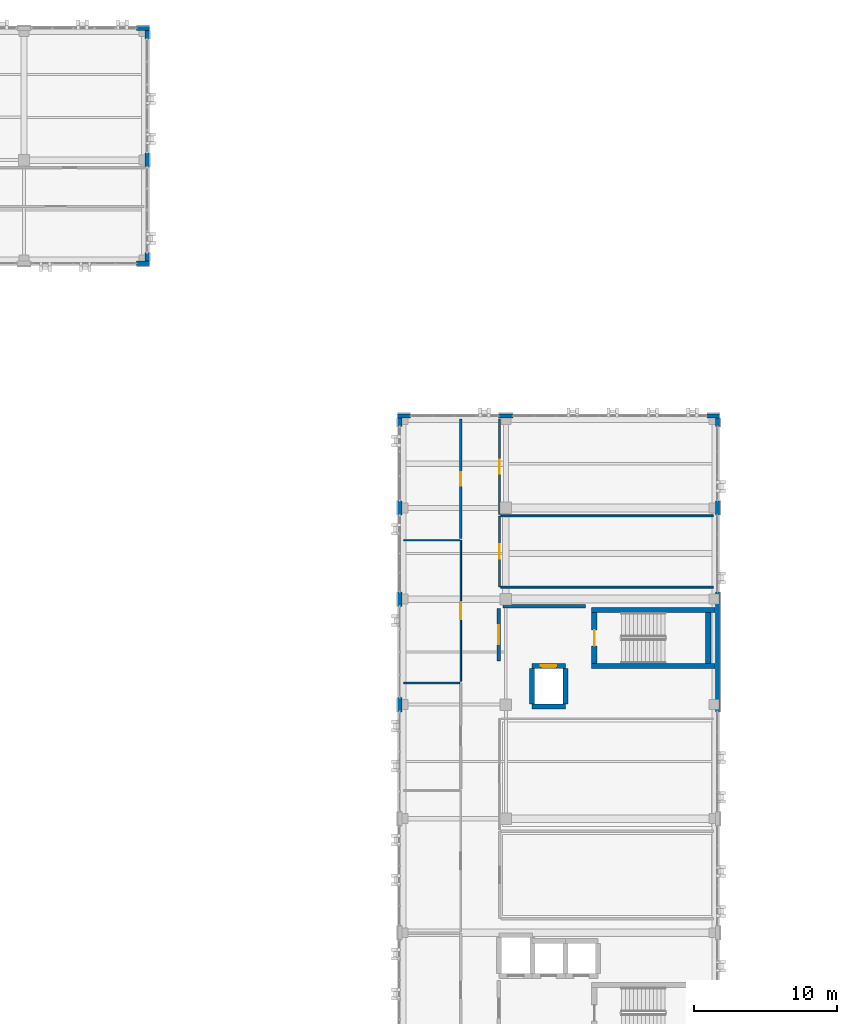
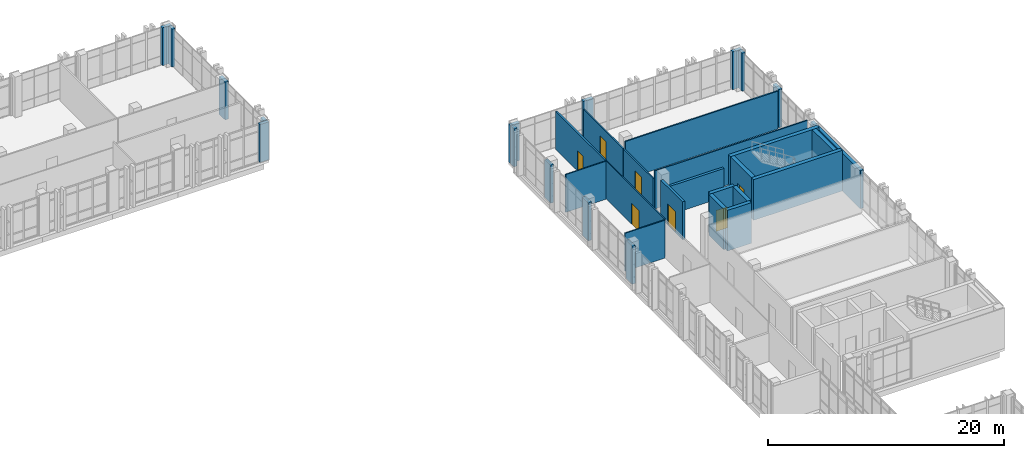
# One storey, part 161 of 193: 33 walls, 7 doors, 7 openings.
"""IFC4 building model written with IfcOpenShell, lengths in metres."""

from ifc_helpers import new_model, si_unit, direction, frame, frame_2d, origin, place, context, subcontext, project, spatial, rectangle, extrude, material, layer, layer_set, type_object, element, fill, save


model = new_model("IFC4")

# Units and contexts
model_context = context("Model", 3, precision=1e-05, world=origin(), true_north=direction((0.0, 1.0)))
body_context = subcontext(model_context, "Body", "Model", "MODEL_VIEW")
ifc_project = project(units=[si_unit("LENGTHUNIT", "METRE"), si_unit("AREAUNIT", "SQUARE_METRE"), si_unit("VOLUMEUNIT", "CUBIC_METRE"), si_unit("PLANEANGLEUNIT", "RADIAN"), si_unit("MASSUNIT", "GRAM", prefix="KILO")], contexts=[model_context])

# Site, building, storey
site_placement = place(None, origin())
site = spatial("IfcSite", under=ifc_project, at=site_placement, CompositionType="ELEMENT")
building_placement = place(site_placement, origin())
building = spatial("IfcBuilding", under=site, at=building_placement, Name="Qalavern Law Courts", CompositionType="ELEMENT")
storey_placement = place(building_placement, frame((0.0, 0.0, 10.199951171875)))
storey = spatial("IfcBuildingStorey", under=building, at=storey_placement, Name="L02", CompositionType="ELEMENT", Elevation=10.199951171875)

# Walls
ifc_material_1 = material(Name="Concrete C40/50", Category="concrete")
ifc_layer_1 = layer(ifc_material_1, 0.31005859375)
ifc_layer_set_1 = layer_set([ifc_layer_1], Name="Concrete C40/50")
wall_type_1 = type_object("IfcWallType", Name="ENV-EW-310", PredefinedType="SOLIDWALL", material=ifc_layer_set_1)
wall_1_placement = place(storey_placement, frame((106.64501953125, 64.89990234375, 0.0), z_axis=(0.0, 0.0, 1.0), x_axis=(0.0, 1.0, 0.0)))
element("IfcWall", 1, at=wall_1_placement, inside=storey, type_object=wall_type_1, Name="V4 exterior pier wall L02 east 4", PredefinedType="SOLIDWALL", context=body_context, shape_type="SweptSolid", body=[
    extrude(rectangle(XDim=8.400146484375, YDim=0.31005859375, at=frame_2d((4.2001953125, 0.0))), origin(), (0.0, 0.0, 1.0), 3.9150390625),
])
wall_2_placement = place(storey_placement, frame((106.64501953125, 78.699951171875, 0.0), z_axis=(0.0, 0.0, 1.0), x_axis=(0.0, 1.0, 0.0)))
element("IfcWall", 2, at=wall_2_placement, inside=storey, type_object=wall_type_1, Name="V4 exterior pier wall L02 east 5", PredefinedType="SOLIDWALL", context=body_context, shape_type="SweptSolid", body=[
    extrude(rectangle(XDim=1.0, YDim=0.31005859375, at=frame_2d((0.5, 0.0))), origin(), (0.0, 0.0, 1.0), 3.9150390625),
])
wall_3_placement = place(storey_placement, frame((106.64501953125, 84.89990234375, 0.0), z_axis=(0.0, 0.0, 1.0), x_axis=(0.0, 1.0, 0.0)))
element("IfcWall", 3, at=wall_3_placement, inside=storey, type_object=wall_type_1, Name="V4 exterior pier wall L02 east 6", PredefinedType="SOLIDWALL", context=body_context, shape_type="SweptSolid", body=[
    extrude(rectangle(XDim=0.59521484375, YDim=0.31005859375, at=frame_2d((0.297607421875, 0.0))), origin(), (0.0, 0.0, 1.0), 3.9150390625),
])
wall_4_placement = place(storey_placement, frame((106.800048828125, 85.64501953125, 0.0), z_axis=(0.0, 0.0, 1.0), x_axis=(-1.0, 0.0, 0.0)))
element("IfcWall", 4, at=wall_4_placement, inside=storey, type_object=wall_type_1, Name="V4 exterior pier wall L02 north 1", PredefinedType="SOLIDWALL", context=body_context, shape_type="SweptSolid", body=[
    extrude(rectangle(XDim=0.900146484375, YDim=0.31005859375, at=frame_2d((0.4501953125, 0.0))), origin(), (0.0, 0.0, 1.0), 3.9150390625),
])
wall_5_placement = place(storey_placement, frame((92.300048828125, 85.64501953125, 0.0), z_axis=(0.0, 0.0, 1.0), x_axis=(-1.0, 0.0, 0.0)))
element("IfcWall", 5, at=wall_5_placement, inside=storey, type_object=wall_type_1, Name="V4 exterior pier wall L02 north 2", PredefinedType="SOLIDWALL", context=body_context, shape_type="SweptSolid", body=[
    extrude(rectangle(XDim=1.0, YDim=0.31005859375, at=frame_2d((0.5, 0.0))), origin(), (0.0, 0.0, 1.0), 3.9150390625),
])
wall_6_placement = place(storey_placement, frame((85.10009765625, 85.64501953125, 0.0), z_axis=(0.0, 0.0, 1.0), x_axis=(-1.0, 0.0, 0.0)))
element("IfcWall", 6, at=wall_6_placement, inside=storey, type_object=wall_type_1, Name="V4 exterior pier wall L02 north 3", PredefinedType="SOLIDWALL", context=body_context, shape_type="SweptSolid", body=[
    extrude(rectangle(XDim=0.900146484375, YDim=0.31005859375, at=frame_2d((0.4501953125, 0.0))), origin(), (0.0, 0.0, 1.0), 3.9150390625),
])
wall_7_placement = place(storey_placement, frame((84.35498046875, 85.4951171875, 0.0), z_axis=(0.0, 0.0, 1.0), x_axis=(0.0, -1.0, 0.0)))
element("IfcWall", 7, at=wall_7_placement, inside=storey, type_object=wall_type_1, Name="V4 exterior pier wall L02 west 1", PredefinedType="SOLIDWALL", context=body_context, shape_type="SweptSolid", body=[
    extrude(rectangle(XDim=0.59521484375, YDim=0.31005859375, at=frame_2d((0.297607421875, 0.0))), origin(), (0.0, 0.0, 1.0), 3.9150390625),
])
for number, where, z_axis, x_axis, name in (
    (8, (84.35498046875, 79.699951171875, 0.0), (0.0, 0.0, 1.0), (0.0, -1.0, 0.0), "V4 exterior pier wall L02 west 2"),
    (9, (84.35498046875, 73.300048828125, 0.0), (0.0, 0.0, 1.0), (0.0, -1.0, 0.0), "V4 exterior pier wall L02 west 3"),
    (10, (84.35498046875, 65.89990234375, 0.0), (0.0, 0.0, 1.0), (0.0, -1.0, 0.0), "V4 exterior pier wall L02 west 4"),
):
    element("IfcWall", number, at=place(storey_placement, frame(where, z_axis=z_axis, x_axis=x_axis)), inside=storey, type_object=wall_type_1, Name=name, PredefinedType="SOLIDWALL", context=body_context, shape_type="SweptSolid", body=[
        extrude(rectangle(XDim=1.0, YDim=0.31005859375, at=frame_2d((0.5, 0.0))), origin(), (0.0, 0.0, 1.0), 3.9150390625),
    ])
wall_8_placement = place(storey_placement, frame((65.89990234375, 96.35498046875, 0.0), z_axis=(0.0, 0.0, 1.0), x_axis=(1.0, 0.0, 0.0)))
element("IfcWall", 11, at=wall_8_placement, inside=storey, type_object=wall_type_1, Name="V5 exterior pier wall L02 south 7", PredefinedType="SOLIDWALL", context=body_context, shape_type="SweptSolid", body=[
    extrude(rectangle(XDim=0.900146484375, YDim=0.31005859375, at=frame_2d((0.4501953125, 0.0))), origin(), (0.0, 0.0, 1.0), 3.9150390625),
])
wall_9_placement = place(storey_placement, frame((66.64501953125, 96.5048828125, 0.0), z_axis=(0.0, 0.0, 1.0), x_axis=(0.0, 1.0, 0.0)))
element("IfcWall", 12, at=wall_9_placement, inside=storey, type_object=wall_type_1, Name="V5 exterior pier wall L02 east 1", PredefinedType="SOLIDWALL", context=body_context, shape_type="SweptSolid", body=[
    extrude(rectangle(XDim=0.59521484375, YDim=0.31005859375, at=frame_2d((0.297607421875, 0.0))), origin(), (0.0, 0.0, 1.0), 3.9150390625),
])
wall_10_placement = place(storey_placement, frame((66.64501953125, 103.10009765625, 0.0), z_axis=(0.0, 0.0, 1.0), x_axis=(0.0, 1.0, 0.0)))
element("IfcWall", 13, at=wall_10_placement, inside=storey, type_object=wall_type_1, Name="V5 exterior pier wall L02 east 2", PredefinedType="SOLIDWALL", context=body_context, shape_type="SweptSolid", body=[
    extrude(rectangle(XDim=1.0, YDim=0.31005859375, at=frame_2d((0.5, 0.0))), origin(), (0.0, 0.0, 1.0), 3.9150390625),
])
wall_11_placement = place(storey_placement, frame((66.64501953125, 112.10009765625, 0.0), z_axis=(0.0, 0.0, 1.0), x_axis=(0.0, 1.0, 0.0)))
element("IfcWall", 14, at=wall_11_placement, inside=storey, type_object=wall_type_1, Name="V5 exterior pier wall L02 east 3", PredefinedType="SOLIDWALL", context=body_context, shape_type="SweptSolid", body=[
    extrude(rectangle(XDim=0.594970703125, YDim=0.31005859375, at=frame_2d((0.29736328125, 0.0))), origin(), (0.0, 0.0, 1.0), 3.9150390625),
])
wall_12_placement = place(storey_placement, frame((66.800048828125, 112.844970703125, 0.0), z_axis=(0.0, 0.0, 1.0), x_axis=(-1.0, 0.0, 0.0)))
element("IfcWall", 15, at=wall_12_placement, inside=storey, type_object=wall_type_1, Name="V5 exterior pier wall L02 north 1", PredefinedType="SOLIDWALL", context=body_context, shape_type="SweptSolid", body=[
    extrude(rectangle(XDim=0.900146484375, YDim=0.31005859375, at=frame_2d((0.4501953125, 0.0))), origin(), (0.0, 0.0, 1.0), 3.9150390625),
])
ifc_material_2 = material(Name="Concrete C45/55", Category="concrete")
ifc_layer_2 = layer(ifc_material_2, 0.375)
ifc_layer_set_2 = layer_set([ifc_layer_2], Name="Concrete C45/55")
wall_type_2 = type_object("IfcWallType", Name="INT-CW-375", PredefinedType="SHEAR", material=ifc_layer_set_2)
wall_13_placement = place(storey_placement, frame((97.824951171875, 68.112548828125, 0.0), z_axis=(0.0, 0.0, 1.0), x_axis=(1.0, 0.0, 0.0)))
element("IfcWall", 16, at=wall_13_placement, inside=storey, type_object=wall_type_2, Name="Core K1B stair shear wall L02 south", PredefinedType="SHEAR", context=body_context, shape_type="SweptSolid", body=[
    extrude(rectangle(XDim=8.662109375, YDim=0.375, at=frame_2d((4.3310546875, 0.0))), origin(), (0.0, 0.0, 1.0), 4.199951171875),
])
wall_14_placement = place(storey_placement, frame((105.987548828125, 68.300048828125, 0.0), z_axis=(0.0, 0.0, 1.0), x_axis=(0.0, 1.0, 0.0)))
element("IfcWall", 17, at=wall_14_placement, inside=storey, type_object=wall_type_2, Name="Core K1B stair shear wall L02 east", PredefinedType="SHEAR", context=body_context, shape_type="SweptSolid", body=[
    extrude(rectangle(XDim=3.550048828125, YDim=0.375, at=frame_2d((1.77490234375, 0.0))), origin(), (0.0, 0.0, 1.0), 4.199951171875),
])
wall_15_placement = place(storey_placement, frame((106.487060546875, 72.03759765625, 0.0), z_axis=(0.0, 0.0, 1.0), x_axis=(-1.0, 0.0, 0.0)))
element("IfcWall", 18, at=wall_15_placement, inside=storey, type_object=wall_type_2, Name="Core K1B stair shear wall L02 north", PredefinedType="SHEAR", context=body_context, shape_type="SweptSolid", body=[
    extrude(rectangle(XDim=8.662109375, YDim=0.375, at=frame_2d((4.3310546875, 0.0))), origin(), (0.0, 0.0, 1.0), 4.199951171875),
])

# Wall, opening, door
wall_16_placement = place(storey_placement, frame((98.012451171875, 71.85009765625, 0.0), z_axis=(0.0, 0.0, 1.0), x_axis=(0.0, -1.0, 0.0)))
wall_16 = element("IfcWall", 19, at=wall_16_placement, inside=storey, type_object=wall_type_2, Name="Core K1B stair shear wall L02 west", PredefinedType="SHEAR", context=body_context, shape_type="SweptSolid", body=[
    extrude(rectangle(XDim=3.550048828125, YDim=0.375, at=frame_2d((1.77490234375, 0.0))), origin(), (0.0, 0.0, 1.0), 4.199951171875),
])
opening_1_placement = place(wall_16_placement, frame((1.22509765625, 0.0, 0.0)))
opening_1 = element("IfcOpeningElement", 20, at=opening_1_placement, cuts=wall_16, Name="Opening L02-D033", PredefinedType="OPENING", context=body_context, shape_type="SweptSolid", body=[
    extrude(rectangle(XDim=1.10009765625, YDim=2.14990234375, at=frame_2d((0.550048828125, 1.074951171875))), frame((0.0, 0.202392578125, 0.0), z_axis=(0.0, -1.0, 0.0), x_axis=(1.0, 0.0, 0.0)), (0.0, 0.0, 1.0), 0.40478515625),
])
ifc_material_3 = material(Name="Steel fire-rated stair enclosure door", Category="steel")
door_type_1 = type_object("IfcDoorType", Name="INT-FD-1100x2150", OperationType="NOTDEFINED", PredefinedType="DOOR", material=ifc_material_3)
door_1_placement = place(opening_1_placement, frame((1.10009765625, 0.0, 0.0), z_axis=(0.0, 0.0, 1.0), x_axis=(-1.0, 0.0, 0.0)))
door_1 = element("IfcDoor", 21, at=door_1_placement, inside=storey, type_object=door_type_1, Name="Stair K1B fire door L02", OperationType="SINGLE_SWING_LEFT", OverallHeight=2.14990234375, OverallWidth=1.10009765625, PredefinedType="DOOR", context=body_context, shape_type="SweptSolid", body=[
    extrude(rectangle(XDim=1.10009765625, YDim=2.14990234375, at=frame_2d((0.550048828125, 1.074951171875))), frame((0.0, 0.02490234375, 0.0), z_axis=(0.0, -1.0, 0.0), x_axis=(1.0, 0.0, 0.0)), (0.0, 0.0, 1.0), 0.050048828125),
])
fill(opening_1, door_1)

ifc_layer_3 = layer(ifc_material_1, 0.2451171875)
ifc_layer_set_3 = layer_set([ifc_layer_3], Name="Concrete C40/50")
wall_type_3 = type_object("IfcWallType", Name="INT-FW-245", PredefinedType="PARTITIONING", material=ifc_layer_set_3)
wall_17_placement = place(storey_placement, frame((91.300048828125, 68.449951171875, 0.0), z_axis=(0.0, 0.0, 1.0), x_axis=(0.0, 1.0, 0.0)))
wall_17 = element("IfcWall", 22, at=wall_17_placement, inside=storey, type_object=wall_type_3, Name="Core K1B firefighting/stair lobby fire wall L02", PredefinedType="PARTITIONING", context=body_context, shape_type="SweptSolid", body=[
    extrude(rectangle(XDim=3.699951171875, YDim=0.2451171875, at=frame_2d((1.85009765625, 0.0))), origin(), (0.0, 0.0, 1.0), 3.9150390625),
])
opening_2_placement = place(wall_17_placement, frame((1.175048828125, 0.0, 0.0)))
opening_2 = element("IfcOpeningElement", 23, at=opening_2_placement, cuts=wall_17, Name="Opening L02-D034", PredefinedType="OPENING", context=body_context, shape_type="SweptSolid", body=[
    extrude(rectangle(XDim=1.35009765625, YDim=2.199951171875, at=frame_2d((0.675048828125, 1.10009765625))), frame((0.0, 0.137451171875, 0.0), z_axis=(0.0, -1.0, 0.0), x_axis=(1.0, 0.0, 0.0)), (0.0, 0.0, 1.0), 0.27490234375),
])
ifc_material_4 = material(Name="Steel fire-rated frame and acoustic timber leaves", Category="steel")
door_type_2 = type_object("IfcDoorType", Name="INT-FD-1350x2200", OperationType="DOUBLE_DOOR_SINGLE_SWING", PredefinedType="DOOR", material=ifc_material_4)
door_2_placement = place(opening_2_placement, origin())
door_2 = element("IfcDoor", 24, at=door_2_placement, inside=storey, type_object=door_type_2, Name="Core K1B lobby fire door L02", OperationType="DOUBLE_DOOR_SINGLE_SWING", OverallHeight=2.199951171875, OverallWidth=1.35009765625, PredefinedType="DOOR", context=body_context, shape_type="SweptSolid", body=[
    extrude(rectangle(XDim=1.35009765625, YDim=2.199951171875, at=frame_2d((0.675048828125, 1.10009765625))), frame((0.0, 0.02490234375, 0.0), z_axis=(0.0, -1.0, 0.0), x_axis=(1.0, 0.0, 0.0)), (0.0, 0.0, 1.0), 0.050048828125),
])
fill(opening_2, door_2)

# Wall
wall_18_placement = place(storey_placement, frame((91.60009765625, 72.300048828125, 0.0), z_axis=(0.0, 0.0, 1.0), x_axis=(1.0, 0.0, 0.0)))
element("IfcWall", 25, at=wall_18_placement, inside=storey, type_object=wall_type_3, Name="Core K1B lobby return wall L02 north", PredefinedType="PARTITIONING", context=body_context, shape_type="SweptSolid", body=[
    extrude(rectangle(XDim=5.7998046875, YDim=0.2451171875, at=frame_2d((2.89990234375, 0.0))), origin(), (0.0, 0.0, 1.0), 2.945068359375),
])

# Wall, opening, door
ifc_material_5 = material(Name="Gypsum sanitary partition")
ifc_layer_4 = layer(ifc_material_5, 0.10205078125)
ifc_layer_set_4 = layer_set([ifc_layer_4], Name="Gypsum sanitary partition")
wall_type_4 = type_object("IfcWallType", Name="INT-PW-102", PredefinedType="PARTITIONING", material=ifc_layer_set_4)
wall_19_placement = place(storey_placement, frame((88.639892578125, 67.034912109375, 0.0), z_axis=(0.0, 0.0, 1.0), x_axis=(0.0, 1.0, 0.0)))
wall_19 = element("IfcWall", 26, at=wall_19_placement, inside=storey, type_object=wall_type_4, Name="Judicial Clerks' Office corridor partition L02", PredefinedType="PARTITIONING", context=body_context, shape_type="SweptSolid", body=[
    extrude(rectangle(XDim=9.89697265625, YDim=0.10205078125, at=frame_2d((4.948486328125, 0.0))), origin(), (0.0, 0.0, 1.0), 3.9150390625),
])
opening_3_placement = place(wall_19_placement, frame((4.33837890625, 0.0, 0.0)))
opening_3 = element("IfcOpeningElement", 27, at=opening_3_placement, cuts=wall_19, Name="Opening L02-D272", PredefinedType="OPENING", context=body_context, shape_type="SweptSolid", body=[
    extrude(rectangle(XDim=1.219970703125, YDim=2.179931640625, at=frame_2d((0.60986328125, 1.08984375))), frame((0.0, 0.06591796875, 0.0), z_axis=(0.0, -1.0, 0.0), x_axis=(1.0, 0.0, 0.0)), (0.0, 0.0, 1.0), 0.1318359375),
])
ifc_material_6 = material(Name="Wide oak Plenary Boardroom door")
door_type_3 = type_object("IfcDoorType", Name="INT-ID-1220x2180", OperationType="NOTDEFINED", PredefinedType="DOOR", material=ifc_material_6)
door_3_placement = place(opening_3_placement, frame((1.219970703125, 0.0, 0.0), z_axis=(0.0, 0.0, 1.0), x_axis=(-1.0, 0.0, 0.0)))
door_3 = element("IfcDoor", 28, at=door_3_placement, inside=storey, type_object=door_type_3, Name="Judicial Clerks' Office door L02", OperationType="SINGLE_SWING_LEFT", OverallHeight=2.179931640625, OverallWidth=1.219970703125, PredefinedType="DOOR", context=body_context, shape_type="SweptSolid", body=[
    extrude(rectangle(XDim=1.219970703125, YDim=2.179931640625, at=frame_2d((0.60986328125, 1.08984375))), frame((0.0, 0.02490234375, 0.0), z_axis=(0.0, -1.0, 0.0), x_axis=(1.0, 0.0, 0.0)), (0.0, 0.0, 1.0), 0.050048828125),
])
fill(opening_3, door_3)

# Walls
wall_20_placement = place(storey_placement, frame((84.639892578125, 76.931884765625, 0.0), z_axis=(0.0, 0.0, 1.0), x_axis=(1.0, 0.0, 0.0)))
element("IfcWall", 29, at=wall_20_placement, inside=storey, type_object=wall_type_4, Name="Judicial Clerks' Office cross partition L02 north", PredefinedType="PARTITIONING", context=body_context, shape_type="SweptSolid", body=[
    extrude(rectangle(XDim=3.92919921875, YDim=0.10205078125, at=frame_2d((1.964599609375, 0.0))), origin(), (0.0, 0.0, 1.0), 3.9150390625),
])
ifc_material_7 = material(Name="Gypsum stud partition")
ifc_layer_5 = layer(ifc_material_7, 0.112060546875)
ifc_layer_set_5 = layer_set([ifc_layer_5], Name="Gypsum stud partition")
wall_type_5 = type_object("IfcWallType", Name="INT-PW-112", PredefinedType="PARTITIONING", material=ifc_layer_set_5)
wall_21_placement = place(storey_placement, frame((84.639892578125, 66.9150390625, 0.0), z_axis=(0.0, 0.0, 1.0), x_axis=(1.0, 0.0, 0.0)))
element("IfcWall", 30, at=wall_21_placement, inside=storey, type_object=wall_type_5, Name="Jury Deliberation Suite cross partition L02 north", PredefinedType="PARTITIONING", context=body_context, shape_type="SweptSolid", body=[
    extrude(rectangle(XDim=3.924072265625, YDim=0.112060546875, at=frame_2d((1.9619140625, 0.0))), origin(), (0.0, 0.0, 1.0), 3.9150390625),
])

# Wall, opening, door
ifc_layer_6 = layer(ifc_material_7, 0.1220703125)
ifc_layer_set_6 = layer_set([ifc_layer_6], Name="Gypsum stud partition")
wall_type_6 = type_object("IfcWallType", Name="INT-PW-122", PredefinedType="PARTITIONING", material=ifc_layer_set_6)
wall_22_placement = place(storey_placement, frame((91.360107421875, 78.764892578125, 0.0), z_axis=(0.0, 0.0, 1.0), x_axis=(0.0, 1.0, 0.0)))
wall_22 = element("IfcWall", 31, at=wall_22_placement, inside=storey, type_object=wall_type_6, Name="Judicial Clerks' Office corridor partition L02", PredefinedType="PARTITIONING", context=body_context, shape_type="SweptSolid", body=[
    extrude(rectangle(XDim=6.655029296875, YDim=0.1220703125, at=frame_2d((3.32763671875, 0.0))), origin(), (0.0, 0.0, 1.0), 3.14501953125),
])
opening_4_placement = place(wall_22_placement, frame((2.827392578125, 0.0, 0.0)))
opening_4 = element("IfcOpeningElement", 32, at=opening_4_placement, cuts=wall_22, Name="Opening L02-D277", PredefinedType="OPENING", context=body_context, shape_type="SweptSolid", body=[
    extrude(rectangle(XDim=1.0, YDim=2.10009765625, at=frame_2d((0.5, 1.050048828125))), frame((0.0, 0.075927734375, 0.0), z_axis=(0.0, -1.0, 0.0), x_axis=(1.0, 0.0, 0.0)), (0.0, 0.0, 1.0), 0.15185546875),
])
ifc_material_8 = material(Name="Timber Judicial Clerks' Office door", Category="wood")
door_type_4 = type_object("IfcDoorType", Name="INT-ID-1000x2100", OperationType="NOTDEFINED", PredefinedType="DOOR", material=ifc_material_8)
door_4_placement = place(opening_4_placement, origin())
door_4 = element("IfcDoor", 33, at=door_4_placement, inside=storey, type_object=door_type_4, Name="Judicial Clerks' Office door L02", OperationType="SINGLE_SWING_RIGHT", OverallHeight=2.10009765625, OverallWidth=1.0, PredefinedType="DOOR", context=body_context, shape_type="SweptSolid", body=[
    extrude(rectangle(XDim=1.0, YDim=2.10009765625, at=frame_2d((0.5, 1.050048828125))), frame((0.0, 0.02490234375, 0.0), z_axis=(0.0, -1.0, 0.0), x_axis=(1.0, 0.0, 0.0)), (0.0, 0.0, 1.0), 0.050048828125),
])
fill(opening_4, door_4)

ifc_layer_7 = layer(ifc_material_7, 0.132080078125)
ifc_layer_set_7 = layer_set([ifc_layer_7], Name="Gypsum stud partition")
wall_type_7 = type_object("IfcWallType", Name="INT-PW-132", PredefinedType="PARTITIONING", material=ifc_layer_set_7)
wall_23_placement = place(storey_placement, frame((91.360107421875, 73.639892578125, 0.0), z_axis=(0.0, 0.0, 1.0), x_axis=(0.0, 1.0, 0.0)))
wall_23 = element("IfcWall", 34, at=wall_23_placement, inside=storey, type_object=wall_type_7, Name="Jury Deliberation Suite corridor partition L02", PredefinedType="PARTITIONING", context=body_context, shape_type="SweptSolid", body=[
    extrude(rectangle(XDim=5.005126953125, YDim=0.132080078125, at=frame_2d((2.50244140625, 0.0))), origin(), (0.0, 0.0, 1.0), 3.14501953125),
])
opening_5_placement = place(wall_23_placement, frame((1.987548828125, 0.0, 0.0)))
opening_5 = element("IfcOpeningElement", 35, at=opening_5_placement, cuts=wall_23, Name="Opening L02-D276", PredefinedType="OPENING", context=body_context, shape_type="SweptSolid", body=[
    extrude(rectangle(XDim=1.030029296875, YDim=2.110107421875, at=frame_2d((0.51513671875, 1.05517578125))), frame((0.0, 0.0810546875, 0.0), z_axis=(0.0, -1.0, 0.0), x_axis=(1.0, 0.0, 0.0)), (0.0, 0.0, 1.0), 0.161865234375),
])
ifc_material_9 = material(Name="Oak Mediation Suite door")
door_type_5 = type_object("IfcDoorType", Name="INT-ID-1030x2110", OperationType="NOTDEFINED", PredefinedType="DOOR", material=ifc_material_9)
door_5_placement = place(opening_5_placement, origin())
door_5 = element("IfcDoor", 36, at=door_5_placement, inside=storey, type_object=door_type_5, Name="Jury Deliberation Suite door L02", OperationType="SINGLE_SWING_LEFT", OverallHeight=2.110107421875, OverallWidth=1.030029296875, PredefinedType="DOOR", context=body_context, shape_type="SweptSolid", body=[
    extrude(rectangle(XDim=1.030029296875, YDim=2.110107421875, at=frame_2d((0.51513671875, 1.05517578125))), frame((0.0, 0.02490234375, 0.0), z_axis=(0.0, -1.0, 0.0), x_axis=(1.0, 0.0, 0.0)), (0.0, 0.0, 1.0), 0.050048828125),
])
fill(opening_5, door_5)

# Walls
for number, where, z_axis, x_axis, name in (
    (37, (91.446044921875, 73.639892578125, 0.0), (0.0, 0.0, 1.0), (1.0, 0.0, 0.0), "Jury Deliberation Suite cross partition L02 south"),
    (38, (91.446044921875, 78.64501953125, 0.0), (0.0, 0.0, 1.0), (1.0, 0.0, 0.0), "Jury Deliberation Suite cross partition L02 north"),
):
    element("IfcWall", number, at=place(storey_placement, frame(where, z_axis=z_axis, x_axis=x_axis)), inside=storey, type_object=wall_type_7, Name=name, PredefinedType="PARTITIONING", context=body_context, shape_type="SweptSolid", body=[
        extrude(rectangle(XDim=14.9140625, YDim=0.132080078125, at=frame_2d((7.45703125, 0.0))), origin(), (0.0, 0.0, 1.0), 3.9150390625),
    ])

# Wall, opening, door
ifc_layer_8 = layer(ifc_material_7, 0.162109375)
ifc_layer_set_8 = layer_set([ifc_layer_8], Name="Gypsum stud partition")
wall_type_8 = type_object("IfcWallType", Name="INT-PW-162", PredefinedType="PARTITIONING", material=ifc_layer_set_8)
wall_24_placement = place(storey_placement, frame((88.639892578125, 77.052001953125, 0.0), z_axis=(0.0, 0.0, 1.0), x_axis=(0.0, 1.0, 0.0)))
wall_24 = element("IfcWall", 39, at=wall_24_placement, inside=storey, type_object=wall_type_8, Name="Accessible WC corridor partition L02", PredefinedType="PARTITIONING", context=body_context, shape_type="SweptSolid", body=[
    extrude(rectangle(XDim=8.367919921875, YDim=0.162109375, at=frame_2d((4.18408203125, 0.0))), origin(), (0.0, 0.0, 1.0), 3.9150390625),
])
opening_6_placement = place(wall_24_placement, frame((3.714111328125, 0.0, 0.0)))
opening_6 = element("IfcOpeningElement", 40, at=opening_6_placement, cuts=wall_24, Name="Opening L02-D273", PredefinedType="OPENING", context=body_context, shape_type="SweptSolid", body=[
    extrude(rectangle(XDim=0.93994140625, YDim=2.070068359375, at=frame_2d((0.469970703125, 1.03515625))), frame((0.0, 0.095947265625, 0.0), z_axis=(0.0, -1.0, 0.0), x_axis=(1.0, 0.0, 0.0)), (0.0, 0.0, 1.0), 0.19189453125),
])
ifc_material_10 = material(Name="Accessible WC outward-clear door")
door_type_6 = type_object("IfcDoorType", Name="INT-ID-940x2070", OperationType="NOTDEFINED", PredefinedType="DOOR", material=ifc_material_10)
door_6_placement = place(opening_6_placement, frame((0.93994140625, 0.0, 0.0), z_axis=(0.0, 0.0, 1.0), x_axis=(-1.0, 0.0, 0.0)))
door_6 = element("IfcDoor", 41, at=door_6_placement, inside=storey, type_object=door_type_6, Name="Accessible WC door L02", OperationType="SINGLE_SWING_RIGHT", OverallHeight=2.070068359375, OverallWidth=0.93994140625, PredefinedType="DOOR", context=body_context, shape_type="SweptSolid", body=[
    extrude(rectangle(XDim=0.93994140625, YDim=2.070068359375, at=frame_2d((0.469970703125, 1.03515625))), frame((0.0, 0.02490234375, 0.0), z_axis=(0.0, -1.0, 0.0), x_axis=(1.0, 0.0, 0.0)), (0.0, 0.0, 1.0), 0.050048828125),
])
fill(opening_6, door_6)

# Walls
ifc_layer_9 = layer(ifc_material_2, 0.344970703125)
ifc_layer_set_9 = layer_set([ifc_layer_9], Name="Concrete C45/55")
wall_type_9 = type_object("IfcWallType", Name="INT-SW-345", PredefinedType="SHEAR", material=ifc_layer_set_9)
wall_25_placement = place(storey_placement, frame((93.62744140625, 65.277587890625, 0.0), z_axis=(0.0, 0.0, 1.0), x_axis=(1.0, 0.0, 0.0)))
element("IfcWall", 42, at=wall_25_placement, inside=storey, type_object=wall_type_9, Name="Lift LF-FF2 shaft wall L02 south", PredefinedType="SHEAR", context=body_context, shape_type="SweptSolid", body=[
    extrude(rectangle(XDim=2.344970703125, YDim=0.344970703125, at=frame_2d((1.17236328125, 0.0))), origin(), (0.0, 0.0, 1.0), 4.199951171875),
])
wall_26_placement = place(storey_placement, frame((95.972412109375, 65.449951171875, 0.0), z_axis=(0.0, 0.0, 1.0), x_axis=(0.0, 1.0, 0.0)))
element("IfcWall", 43, at=wall_26_placement, inside=storey, type_object=wall_type_9, Name="Lift LF-FF2 shaft wall L02 east", PredefinedType="SHEAR", context=body_context, shape_type="SweptSolid", body=[
    extrude(rectangle(XDim=2.5, YDim=0.344970703125, at=frame_2d((1.25, 0.0))), origin(), (0.0, 0.0, 1.0), 4.199951171875),
])

# Wall, opening, door
wall_27_placement = place(storey_placement, frame((95.972412109375, 68.12255859375, 0.0), z_axis=(0.0, 0.0, 1.0), x_axis=(-1.0, 0.0, 0.0)))
wall_27 = element("IfcWall", 44, at=wall_27_placement, inside=storey, type_object=wall_type_9, Name="Lift LF-FF2 shaft wall L02 north", PredefinedType="SHEAR", context=body_context, shape_type="SweptSolid", body=[
    extrude(rectangle(XDim=2.344970703125, YDim=0.344970703125, at=frame_2d((1.17236328125, 0.0))), origin(), (0.0, 0.0, 1.0), 4.199951171875),
])
opening_7_placement = place(wall_27_placement, frame((0.62255859375, 0.0, 0.0)))
opening_7 = element("IfcOpeningElement", 45, at=opening_7_placement, cuts=wall_27, Name="Opening LD-LF-FF2-L02", PredefinedType="OPENING", context=body_context, shape_type="SweptSolid", body=[
    extrude(rectangle(XDim=1.10009765625, YDim=2.159912109375, at=frame_2d((0.550048828125, 1.080078125))), frame((0.0, 0.1875, 0.0), z_axis=(0.0, -1.0, 0.0), x_axis=(1.0, 0.0, 0.0)), (0.0, 0.0, 1.0), 0.374755859375),
])
ifc_material_11 = material(Name="Stainless steel firefighting lift sliding landing door", Category="steel")
door_type_7 = type_object("IfcDoorType", Name="INT-LD-1100x2160", OperationType="DOUBLE_DOOR_SLIDING", PredefinedType="DOOR", material=ifc_material_11)
door_7_placement = place(opening_7_placement, origin())
door_7 = element("IfcDoor", 46, at=door_7_placement, inside=storey, type_object=door_type_7, Name="Lift LF-FF2 sliding landing door L02", OperationType="DOUBLE_DOOR_SLIDING", OverallHeight=2.159912109375, OverallWidth=1.10009765625, PredefinedType="DOOR", context=body_context, shape_type="SweptSolid", body=[
    extrude(rectangle(XDim=1.10009765625, YDim=2.159912109375, at=frame_2d((0.550048828125, 1.080078125))), frame((0.0, 0.02490234375, 0.0), z_axis=(0.0, -1.0, 0.0), x_axis=(1.0, 0.0, 0.0)), (0.0, 0.0, 1.0), 0.050048828125),
])
fill(opening_7, door_7)

# Wall
wall_28_placement = place(storey_placement, frame((93.62744140625, 67.949951171875, 0.0), z_axis=(0.0, 0.0, 1.0), x_axis=(0.0, -1.0, 0.0)))
element("IfcWall", 47, at=wall_28_placement, inside=storey, type_object=wall_type_9, Name="Lift LF-FF2 shaft wall L02 west", PredefinedType="SHEAR", context=body_context, shape_type="SweptSolid", body=[
    extrude(rectangle(XDim=2.5, YDim=0.344970703125, at=frame_2d((1.25, 0.0))), origin(), (0.0, 0.0, 1.0), 4.199951171875),
])

save(model, "model.ifc")
